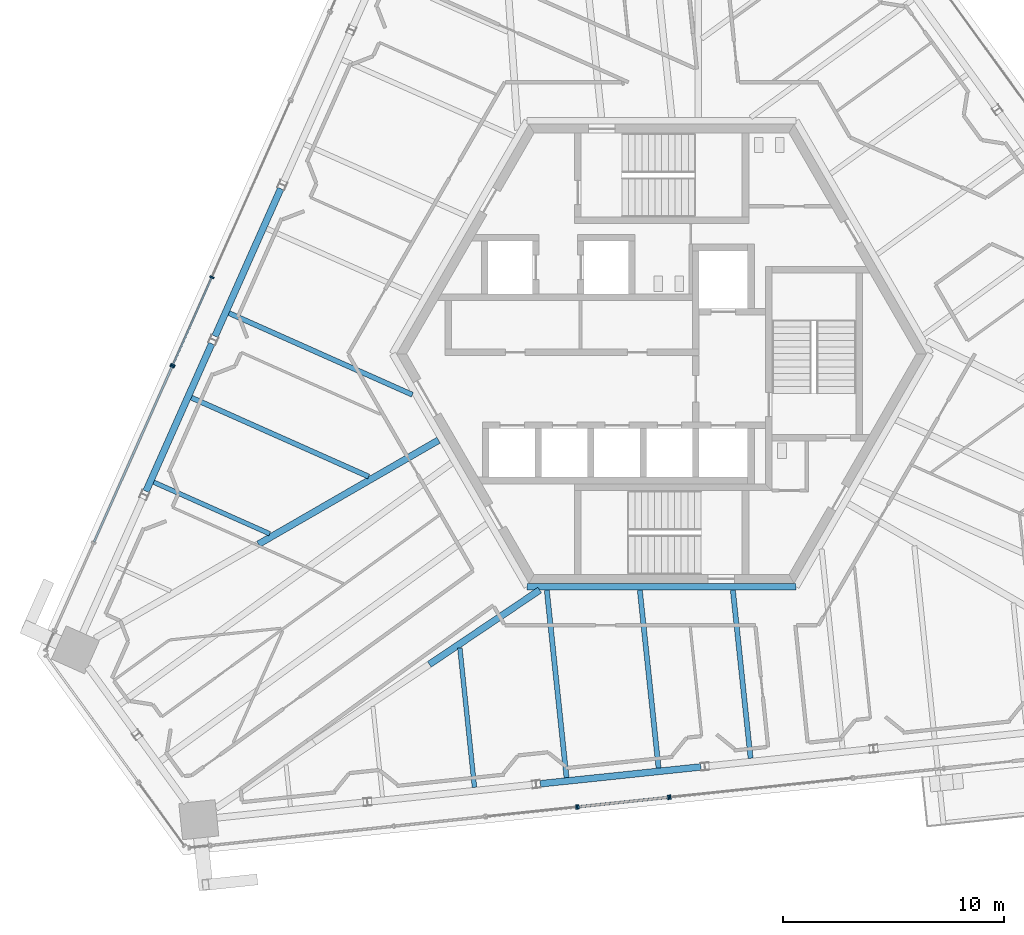
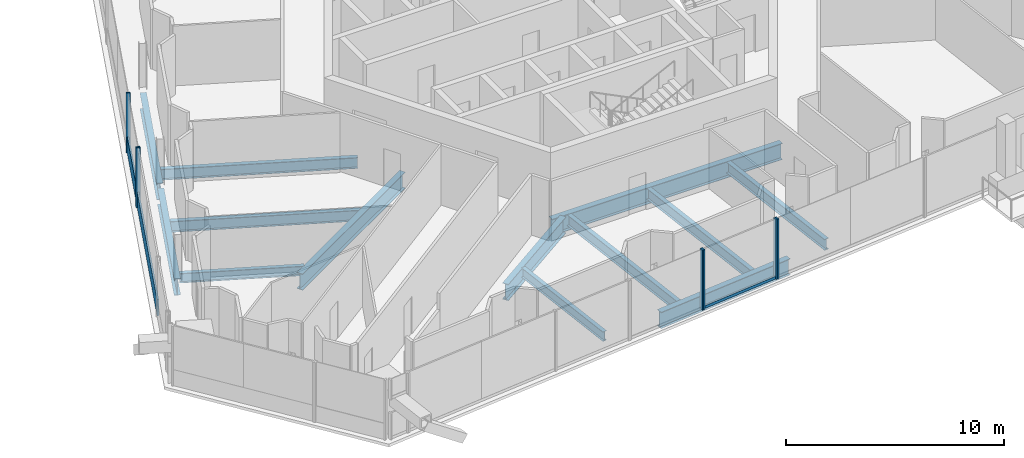
# One storey, part 5 of 26: 13 beams, 10 members, 5 elements without a shape of their own.
"""IFC4 building model written with IfcOpenShell, lengths in metres."""

from ifc_helpers import new_model, si_unit, direction, frame, origin, origin_2d, place, context, subcontext, project, spatial, rectangle, i_section, extrude, source, transform, mapped, material, material_profile, profile_set, type_object, element, aggregate, save


model = new_model("IFC4")

# Units and contexts
model_context = context("Model", 3, precision=1e-05, world=origin(), true_north=direction((0.0, 1.0)))
body_context = subcontext(model_context, "Body", "Model", "MODEL_VIEW")
ifc_project = project(units=[si_unit("LENGTHUNIT", "METRE"), si_unit("AREAUNIT", "SQUARE_METRE"), si_unit("VOLUMEUNIT", "CUBIC_METRE"), si_unit("PLANEANGLEUNIT", "RADIAN"), si_unit("MASSUNIT", "GRAM", prefix="KILO")], contexts=[model_context])

# Site, building, storey
site_placement = place(None, origin())
site = spatial("IfcSite", under=ifc_project, at=site_placement, CompositionType="ELEMENT")
building_placement = place(site_placement, origin())
building = spatial("IfcBuilding", under=site, at=building_placement, Name="Triune Harvest Tower", CompositionType="ELEMENT")
storey_placement = place(building_placement, frame((0.0, 0.0, 252.10009765625)))
storey = spatial("IfcBuildingStorey", under=building, at=storey_placement, Name="L66", CompositionType="ELEMENT", Elevation=252.10009765625)

# Beams
ifc_material_1 = material(Name="Steel ASTM A992 Gr 50", Category="steel")
ifc_material_profile_1 = material_profile(ifc_material_1, i_section(OverallWidth=0.3046875, OverallDepth=0.914306640625, WebThickness=0.0166015625, FlangeThickness=0.02587890625, at=origin_2d()), Name="W36x160")
ifc_profile_set_1 = profile_set([ifc_material_profile_1], Name="Steel ASTM A992 Gr 50")
beam_type_1 = type_object("IfcBeamType", Name="CG-1 Core ring girder W36x160", PredefinedType="BEAM", material=ifc_profile_set_1)
shared_shape_1 = source(origin(), body_context, "Body", "SweptSolid", [
    extrude(i_section(OverallWidth=0.3046875, OverallDepth=0.914306640625, WebThickness=0.0166015625, FlangeThickness=0.02587890625, at=origin_2d()), origin(), (0.0, 0.0, 1.0), 12.17578125),
])
beam_1_placement = place(storey_placement, frame((-6.087890625, -10.544677734375, -0.6171875), z_axis=(1.0, 0.0, 0.0), x_axis=(0.0, 1.0, 0.0)))
element("IfcBeam", 1, at=beam_1_placement, inside=storey, type_object=beam_type_1, Name="beam/L66/CG5", PredefinedType="BEAM", context=body_context, shape_type="MappedRepresentation", body=[
    mapped(shared_shape_1, transform((0.0, 0.0, 0.0), scale=1.0)),
])
ifc_material_2 = material(Name="Steel ASTM A992 Gr 50", Category="steel")
ifc_material_profile_2 = material_profile(ifc_material_2, i_section(OverallWidth=0.3046875, OverallDepth=0.914306640625, WebThickness=0.0166015625, FlangeThickness=0.02587890625, at=origin_2d()), Name="W36x160")
ifc_profile_set_2 = profile_set([ifc_material_profile_2], Name="Steel ASTM A992 Gr 50")
beam_type_2 = type_object("IfcBeamType", Name="HG-3 Hip girder W36x160", PredefinedType="BEAM", material=ifc_profile_set_2)
shared_shape_2 = source(origin(), body_context, "Body", "SweptSolid", [
    extrude(i_section(OverallWidth=0.3046875, OverallDepth=0.914306640625, WebThickness=0.0166015625, FlangeThickness=0.02587890625, at=origin_2d()), origin(), (0.0, 0.0, 1.0), 9.416259765625),
])
beam_2_placement = place(storey_placement, frame((-18.247802734375, -8.62060546875, -0.6171875), z_axis=(0.866032742664, 0.499987288472, 0.0), x_axis=(-0.499987288472, 0.866032742664, 0.0)))
element("IfcBeam", 2, at=beam_2_placement, inside=storey, type_object=beam_type_2, Name="beam/L66/HG6", PredefinedType="BEAM", context=body_context, shape_type="MappedRepresentation", body=[
    mapped(shared_shape_2, transform((0.0, 0.0, 0.0), scale=1.0)),
])
shared_shape_3 = source(origin(), body_context, "Body", "SweptSolid", [
    extrude(i_section(OverallWidth=0.3046875, OverallDepth=0.914306640625, WebThickness=0.0166015625, FlangeThickness=0.02587890625, at=origin_2d()), origin(), (0.0, 0.0, 1.0), 6.02099609375),
])
beam_3_placement = place(storey_placement, frame((-10.508056640625, -14.060791015625, -0.6171875), z_axis=(0.829383245618, 0.558680080088, 0.0), x_axis=(-0.558680080088, 0.829383245618, 0.0)))
element("IfcBeam", 3, at=beam_3_placement, inside=storey, type_object=beam_type_2, Name="beam/L66/HG9", PredefinedType="BEAM", context=body_context, shape_type="MappedRepresentation", body=[
    mapped(shared_shape_3, transform((0.0, 0.0, 0.0), scale=1.0)),
])
ifc_material_3 = material(Name="Steel ASTM A992 Gr 50", Category="steel")
ifc_material_profile_3 = material_profile(ifc_material_3, i_section(OverallWidth=0.3046875, OverallDepth=0.914306640625, WebThickness=0.0166015625, FlangeThickness=0.02587890625, at=origin_2d()), Name="W36x160")
ifc_profile_set_3 = profile_set([ifc_material_profile_3], Name="Steel ASTM A992 Gr 50")
beam_type_3 = type_object("IfcBeamType", Name="SB-1 Spandrel beam W36x160", PredefinedType="SPANDREL", material=ifc_profile_set_3)
shared_shape_4 = source(origin(), body_context, "Body", "SweptSolid", [
    extrude(i_section(OverallWidth=0.3046875, OverallDepth=0.914306640625, WebThickness=0.0166015625, FlangeThickness=0.02587890625, at=origin_2d()), origin(), (0.0, 0.0, 1.0), 7.311279296875),
])
for number, where, z_axis, x_axis, name in (
    (4, (-17.238525390625, 7.4736328125, -0.6171875), (-0.406748727305, -0.913540077301, 0.0), (0.913540077301, -0.406748727305, 0.0), "beam/L66/SB12"),
    (5, (-20.362060546875, 0.4580078125, -0.6171875), (-0.406720859208, -0.91355248491, 0.0), (0.91355248491, -0.406720859208, 0.0), "beam/L66/SB13"),
    (6, (-5.490478515625, -19.468505859375, -0.6171875), (0.994519532674, 0.104550940362, 0.0), (-0.104550940362, 0.994519532674, 0.0), "beam/L66/SB19"),
):
    element("IfcBeam", number, at=place(storey_placement, frame(where, z_axis=z_axis, x_axis=x_axis)), inside=storey, type_object=beam_type_3, Name=name, PredefinedType="SPANDREL", context=body_context, shape_type="MappedRepresentation", body=[
        mapped(shared_shape_4, transform((0.0, 0.0, 0.0), scale=1.0)),
    ])
ifc_material_4 = material(Name="Steel ASTM A992 Gr 50", Category="steel")
ifc_material_profile_4 = material_profile(ifc_material_4, i_section(OverallWidth=0.2099609375, OverallDepth=0.535888671875, WebThickness=0.010986328125, FlangeThickness=0.017333984375, at=origin_2d()), Name="W21x68")
ifc_profile_set_4 = profile_set([ifc_material_profile_4], Name="Steel ASTM A992 Gr 50")
beam_type_4 = type_object("IfcBeamType", Name="JT-2 Floor joist W21x68", PredefinedType="JOIST", material=ifc_profile_set_4)
shared_shape_5 = source(origin(), body_context, "Body", "SweptSolid", [
    extrude(i_section(OverallWidth=0.2099609375, OverallDepth=0.535888671875, WebThickness=0.010986328125, FlangeThickness=0.017333984375, at=origin_2d()), origin(), (0.0, 0.0, 1.0), 6.346435546875),
])
beam_4_placement = place(storey_placement, frame((-8.466552734375, -19.628173828125, -0.427978515625), z_axis=(-0.104518578592, 0.99452293424, 0.0), x_axis=(-0.99452293424, -0.104518578592, 0.0)))
element("IfcBeam", 7, at=beam_4_placement, inside=storey, type_object=beam_type_4, Name="beam/L66/JT27", PredefinedType="JOIST", context=body_context, shape_type="MappedRepresentation", body=[
    mapped(shared_shape_5, transform((0.0, 0.0, 0.0), scale=1.0)),
])
ifc_material_5 = material(Name="Steel ASTM A992 Gr 50", Category="steel")
ifc_material_profile_5 = material_profile(ifc_material_5, i_section(OverallWidth=0.22900390625, OverallDepth=0.612060546875, WebThickness=0.011962890625, FlangeThickness=0.01953125, at=origin_2d()), Name="W24x84")
ifc_profile_set_5 = profile_set([ifc_material_profile_5], Name="Steel ASTM A992 Gr 50")
beam_type_5 = type_object("IfcBeamType", Name="JT-3 Floor joist W24x84", PredefinedType="JOIST", material=ifc_profile_set_5)
shared_shape_6 = source(origin(), body_context, "Body", "SweptSolid", [
    extrude(i_section(OverallWidth=0.22900390625, OverallDepth=0.612060546875, WebThickness=0.011962890625, FlangeThickness=0.01953125, at=origin_2d()), origin(), (0.0, 0.0, 1.0), 8.099609375),
])
beam_5_placement = place(storey_placement, frame((-0.135009765625, -18.752197265625, -0.46630859375), z_axis=(-0.104534153452, 0.994521297289, 0.0), x_axis=(-0.994521297289, -0.104534153452, 0.0)))
element("IfcBeam", 8, at=beam_5_placement, inside=storey, type_object=beam_type_5, Name="beam/L66/JT29", PredefinedType="JOIST", context=body_context, shape_type="MappedRepresentation", body=[
    mapped(shared_shape_6, transform((0.0, 0.0, 0.0), scale=1.0)),
])
shared_shape_7 = source(origin(), body_context, "Body", "SweptSolid", [
    extrude(i_section(OverallWidth=0.22900390625, OverallDepth=0.612060546875, WebThickness=0.011962890625, FlangeThickness=0.01953125, at=origin_2d()), origin(), (0.0, 0.0, 1.0), 7.659423828125),
])
beam_6_placement = place(storey_placement, frame((4.031005859375, -18.314453125, -0.46630859375), z_axis=(-0.104548726976, 0.994519765358, 0.0), x_axis=(-0.994519765358, -0.104548726976, 0.0)))
element("IfcBeam", 9, at=beam_6_placement, inside=storey, type_object=beam_type_5, Name="beam/L66/JT30", PredefinedType="JOIST", context=body_context, shape_type="MappedRepresentation", body=[
    mapped(shared_shape_7, transform((0.0, 0.0, 0.0), scale=1.0)),
])
shared_shape_8 = source(origin(), body_context, "Body", "SweptSolid", [
    extrude(i_section(OverallWidth=0.22900390625, OverallDepth=0.612060546875, WebThickness=0.011962890625, FlangeThickness=0.01953125, at=origin_2d()), origin(), (0.0, 0.0, 1.0), 9.084716796875),
])
beam_7_placement = place(storey_placement, frame((-19.580078125, 1.83984375, -0.46630859375), z_axis=(0.913546495421, -0.406734312179, 0.0), x_axis=(0.406734312179, 0.913546495421, 0.0)))
element("IfcBeam", 10, at=beam_7_placement, inside=storey, type_object=beam_type_5, Name="beam/L66/JT19", PredefinedType="JOIST", context=body_context, shape_type="MappedRepresentation", body=[
    mapped(shared_shape_8, transform((0.0, 0.0, 0.0), scale=1.0)),
])
shared_shape_9 = source(origin(), body_context, "Body", "SweptSolid", [
    extrude(i_section(OverallWidth=0.22900390625, OverallDepth=0.612060546875, WebThickness=0.011962890625, FlangeThickness=0.01953125, at=origin_2d()), origin(), (0.0, 0.0, 1.0), 8.789306640625),
])
beam_8_placement = place(storey_placement, frame((-21.28369140625, -1.98681640625, -0.46630859375), z_axis=(0.913542165142, -0.406744038074, 0.0), x_axis=(0.406744038074, 0.913542165142, 0.0)))
element("IfcBeam", 11, at=beam_8_placement, inside=storey, type_object=beam_type_5, Name="beam/L66/JT20", PredefinedType="JOIST", context=body_context, shape_type="MappedRepresentation", body=[
    mapped(shared_shape_9, transform((0.0, 0.0, 0.0), scale=1.0)),
])
shared_shape_10 = source(origin(), body_context, "Body", "SweptSolid", [
    extrude(i_section(OverallWidth=0.2099609375, OverallDepth=0.535888671875, WebThickness=0.010986328125, FlangeThickness=0.017333984375, at=origin_2d()), origin(), (0.0, 0.0, 1.0), 5.745849609375),
])
beam_9_placement = place(storey_placement, frame((-22.987548828125, -5.8134765625, -0.427978515625), z_axis=(0.913552037091, -0.406721865071, 0.0), x_axis=(0.406721865071, 0.913552037091, 0.0)))
element("IfcBeam", 12, at=beam_9_placement, inside=storey, type_object=beam_type_4, Name="beam/L66/JT21", PredefinedType="JOIST", context=body_context, shape_type="MappedRepresentation", body=[
    mapped(shared_shape_10, transform((0.0, 0.0, 0.0), scale=1.0)),
])
shared_shape_11 = source(origin(), body_context, "Body", "SweptSolid", [
    extrude(i_section(OverallWidth=0.22900390625, OverallDepth=0.612060546875, WebThickness=0.011962890625, FlangeThickness=0.01953125, at=origin_2d()), origin(), (0.0, 0.0, 1.0), 8.5400390625),
])
beam_10_placement = place(storey_placement, frame((-4.30078125, -19.190185546875, -0.46630859375), z_axis=(-0.104546386162, 0.994520011433, 0.0), x_axis=(-0.994520011433, -0.104546386162, 0.0)))
element("IfcBeam", 13, at=beam_10_placement, inside=storey, type_object=beam_type_5, Name="beam/L66/JT28", PredefinedType="JOIST", context=body_context, shape_type="MappedRepresentation", body=[
    mapped(shared_shape_11, transform((0.0, 0.0, 0.0), scale=1.0)),
])

# Curtain wall, members
ifc_material_6 = material(Name="Aluminium bronze anodised", Category="aluminium")
curtain_wall_type_1 = type_object("IfcCurtainWallType", Name="CW-1 Tower stick curtain wall", PredefinedType="NOTDEFINED", material=ifc_material_6)
curtain_wall_1_placement = place(storey_placement, origin())
curtain_wall_1 = element("IfcCurtainWall", 14, at=curtain_wall_1_placement, inside=storey, type_object=curtain_wall_type_1, Name="CW-1 B6-F3 L66 run 3201")
ifc_material_7 = material(Name="Aluminium bronze anodised", Category="aluminium")
ifc_material_profile_6 = material_profile(ifc_material_7, rectangle(XDim=0.199951171875, YDim=0.074951171875, at=origin_2d()), Name="MU-1 mullion 75 x 200")
ifc_profile_set_6 = profile_set([ifc_material_profile_6], Name="Aluminium bronze anodised")
member_type_1 = type_object("IfcMemberType", Name="MU-1 mullion 75 x 200", PredefinedType="MULLION", material=ifc_profile_set_6)
shared_shape_12 = source(origin(), body_context, "Body", "SweptSolid", [
    extrude(rectangle(XDim=0.199951171875, YDim=0.074951171875, at=origin_2d()), origin(), (0.0, 0.0, 1.0), 3.349853515625),
])
member_1_placement = place(storey_placement, frame((-20.354736328125, 3.463134765625, 0.0), z_axis=(0.0, 0.0, 1.0), x_axis=(0.913546756352, -0.406733726114, 0.0)))
member_1 = element("IfcMember", 15, at=member_1_placement, type_object=member_type_1, Name="CW-1 mullion B6-F3 3201.3", PredefinedType="MULLION", context=body_context, shape_type="MappedRepresentation", body=[
    mapped(shared_shape_12, transform((0.0, 0.0, 0.0), scale=1.0)),
])
member_2_placement = place(storey_placement, frame((-22.122802734375, -0.508056640625, 0.0), z_axis=(0.0, 0.0, 1.0), x_axis=(0.913546756352, -0.406733726114, 0.0)))
member_2 = element("IfcMember", 16, at=member_2_placement, type_object=member_type_1, Name="CW-1 mullion B6-F3 3201.4", PredefinedType="MULLION", context=body_context, shape_type="MappedRepresentation", body=[
    mapped(shared_shape_12, transform((0.0, 0.0, 0.0), scale=1.0)),
])

# Curtain wall, member
ifc_material_8 = material(Name="Aluminium bronze anodised", Category="aluminium")
curtain_wall_type_2 = type_object("IfcCurtainWallType", Name="CW-7 Tower stick curtain wall with insulated spandrel infill", PredefinedType="NOTDEFINED", material=ifc_material_8)
curtain_wall_2_placement = place(storey_placement, origin())
curtain_wall_2 = element("IfcCurtainWall", 17, at=curtain_wall_2_placement, inside=storey, type_object=curtain_wall_type_2, Name="CW-7 B6-F3 L66 run 4201")
member_3_placement = place(storey_placement, frame((-22.1533203125, -0.57666015625, 0.0), z_axis=(0.0, 0.0, 1.0), x_axis=(0.913543931473, -0.406740070891, 0.0)))
member_3 = element("IfcMember", 18, at=member_3_placement, type_object=member_type_1, Name="CW-7 mullion B6-F3 4201.1", PredefinedType="MULLION", context=body_context, shape_type="MappedRepresentation", body=[
    mapped(shared_shape_12, transform((0.0, 0.0, 0.0), scale=1.0)),
])

ifc_material_9 = material(Name="Aluminium bronze anodised", Category="aluminium")
curtain_wall_type_3 = type_object("IfcCurtainWallType", Name="CW-6 Balcony window wall", PredefinedType="NOTDEFINED", material=ifc_material_9)
curtain_wall_3_placement = place(storey_placement, origin())
curtain_wall_3 = element("IfcCurtainWall", 19, at=curtain_wall_3_placement, inside=storey, type_object=curtain_wall_type_3, Name="CW-6 B6-F5 L66 run 1201")
ifc_material_10 = material(Name="Aluminium bronze anodised", Category="aluminium")
ifc_material_profile_7 = material_profile(ifc_material_10, rectangle(XDim=0.199951171875, YDim=0.074951171875, at=origin_2d()), Name="MU-6 mullion 75 x 200")
ifc_profile_set_7 = profile_set([ifc_material_profile_7], Name="Aluminium bronze anodised")
member_type_2 = type_object("IfcMemberType", Name="MU-6 mullion 75 x 200", PredefinedType="MULLION", material=ifc_profile_set_7)
shared_shape_13 = source(origin(), body_context, "Body", "SweptSolid", [
    extrude(rectangle(XDim=0.199951171875, YDim=0.074951171875, at=origin_2d()), origin(), (0.0, 0.0, 1.0), 3.349853515625),
])
member_4_placement = place(storey_placement, frame((-3.84521484375, -20.517822265625, 0.0), z_axis=(0.0, 0.0, 1.0), x_axis=(-0.104532871319, 0.994521432054, 0.0)))
member_4 = element("IfcMember", 20, at=member_4_placement, type_object=member_type_2, Name="CW-6 mullion B6-F5 1201.2", PredefinedType="MULLION", context=body_context, shape_type="MappedRepresentation", body=[
    mapped(shared_shape_13, transform((0.0, 0.0, 0.0), scale=1.0)),
])
aggregate(curtain_wall_3, [member_4])

# Curtain wall, members
ifc_material_11 = material(Name="Aluminium bronze anodised", Category="aluminium")
curtain_wall_type_4 = type_object("IfcCurtainWallType", Name="CW-10 Balcony window wall with insulated spandrel infill", PredefinedType="NOTDEFINED", material=ifc_material_11)
curtain_wall_4_placement = place(storey_placement, origin())
curtain_wall_4 = element("IfcCurtainWall", 21, at=curtain_wall_4_placement, inside=storey, type_object=curtain_wall_type_4, Name="CW-10 B6-F5 L66 run 2201")
member_5_placement = place(storey_placement, frame((-3.7705078125, -20.509765625, 0.0), z_axis=(0.0, 0.0, 1.0), x_axis=(-0.104506725871, 0.994524179821, 0.0)))
member_5 = element("IfcMember", 22, at=member_5_placement, type_object=member_type_2, Name="CW-10 mullion B6-F5 2201.1", PredefinedType="MULLION", context=body_context, shape_type="MappedRepresentation", body=[
    mapped(shared_shape_13, transform((0.0, 0.0, 0.0), scale=1.0)),
])
member_6_placement = place(storey_placement, frame((0.3125, -20.080810546875, 0.0), z_axis=(0.0, 0.0, 1.0), x_axis=(-0.104506725871, 0.994524179821, 0.0)))
member_6 = element("IfcMember", 23, at=member_6_placement, type_object=member_type_2, Name="CW-10 mullion B6-F5 2201.2", PredefinedType="MULLION", context=body_context, shape_type="MappedRepresentation", body=[
    mapped(shared_shape_13, transform((0.0, 0.0, 0.0), scale=1.0)),
])

# Curtain wall, member
curtain_wall_5_placement = place(storey_placement, origin())
curtain_wall_5 = element("IfcCurtainWall", 24, at=curtain_wall_5_placement, inside=storey, type_object=curtain_wall_type_3, Name="CW-6 B6-F5 L66 run 3201")
member_7_placement = place(storey_placement, frame((0.38720703125, -20.072998046875, 0.0), z_axis=(0.0, 0.0, 1.0), x_axis=(-0.104531627937, 0.994521562743, 0.0)))
member_7 = element("IfcMember", 25, at=member_7_placement, type_object=member_type_2, Name="CW-6 mullion B6-F5 3201.1", PredefinedType="MULLION", context=body_context, shape_type="MappedRepresentation", body=[
    mapped(shared_shape_13, transform((0.0, 0.0, 0.0), scale=1.0)),
])
aggregate(curtain_wall_5, [member_7])

# Member
ifc_material_12 = material(Name="Aluminium bronze anodised", Category="aluminium")
ifc_material_profile_8 = material_profile(ifc_material_12, rectangle(XDim=0.090087890625, YDim=0.89990234375, at=origin_2d()), Name="TR-1 transom 90 x 900")
ifc_profile_set_8 = profile_set([ifc_material_profile_8], Name="Aluminium bronze anodised")
member_type_3 = type_object("IfcMemberType", Name="TR-1 transom 90 x 900", PredefinedType="USERDEFINED", material=ifc_profile_set_8)
shared_shape_14 = source(origin(), body_context, "Body", "SweptSolid", [
    extrude(rectangle(XDim=0.090087890625, YDim=0.89990234375, at=origin_2d()), origin(), (0.0, 0.0, 1.0), 8.65673828125),
])
member_8_placement = place(storey_placement, frame((-22.16845703125, -0.61083984375, 0.449951171875), z_axis=(-0.406740230718, -0.913543860313, 0.0), x_axis=(0.913543860313, -0.406740230718, 0.0)))
member_8 = element("IfcMember", 26, at=member_8_placement, type_object=member_type_3, Name="CW-7 transom B6-F3 4201.1", ObjectType="TRANSOM", PredefinedType="USERDEFINED", context=body_context, shape_type="MappedRepresentation", body=[
    mapped(shared_shape_14, transform((0.0, 0.0, 0.0), scale=1.0)),
])

aggregate(curtain_wall_2, [member_3, member_8])

shared_shape_15 = source(origin(), body_context, "Body", "SweptSolid", [
    extrude(rectangle(XDim=0.090087890625, YDim=0.89990234375, at=origin_2d()), origin(), (0.0, 0.0, 1.0), 4.272216796875),
])
member_9_placement = place(storey_placement, frame((-20.369873046875, 3.428955078125, 0.449951171875), z_axis=(-0.406716337029, -0.913554498207, 0.0), x_axis=(0.913554498207, -0.406716337029, 0.0)))
member_9 = element("IfcMember", 27, at=member_9_placement, type_object=member_type_3, Name="CW-1 transom B6-F3 3201.2", ObjectType="TRANSOM", PredefinedType="USERDEFINED", context=body_context, shape_type="MappedRepresentation", body=[
    mapped(shared_shape_15, transform((0.0, 0.0, 0.0), scale=1.0)),
])

aggregate(curtain_wall_1, [member_1, member_2, member_9])

ifc_material_13 = material(Name="Aluminium bronze anodised", Category="aluminium")
ifc_material_profile_9 = material_profile(ifc_material_13, rectangle(XDim=0.090087890625, YDim=0.14990234375, at=origin_2d()), Name="TR-6 transom 90 x 150")
ifc_profile_set_9 = profile_set([ifc_material_profile_9], Name="Aluminium bronze anodised")
member_type_4 = type_object("IfcMemberType", Name="TR-6 transom 90 x 150", PredefinedType="USERDEFINED", material=ifc_profile_set_9)
shared_shape_16 = source(origin(), body_context, "Body", "SweptSolid", [
    extrude(rectangle(XDim=0.090087890625, YDim=0.14990234375, at=origin_2d()), origin(), (0.0, 0.0, 1.0), 4.030517578125),
])
member_10_placement = place(storey_placement, frame((-3.733154296875, -20.505859375, 0.074951171875), z_axis=(0.994526342757, 0.104486140524, 0.0), x_axis=(-0.104486140524, 0.994526342757, 0.0)))
member_10 = element("IfcMember", 28, at=member_10_placement, type_object=member_type_4, Name="CW-10 transom B6-F5 2201.1", ObjectType="TRANSOM", PredefinedType="USERDEFINED", context=body_context, shape_type="MappedRepresentation", body=[
    mapped(shared_shape_16, transform((0.0, 0.0, 0.0), scale=1.0)),
])

aggregate(curtain_wall_4, [member_5, member_6, member_10])

save(model, "model.ifc")
